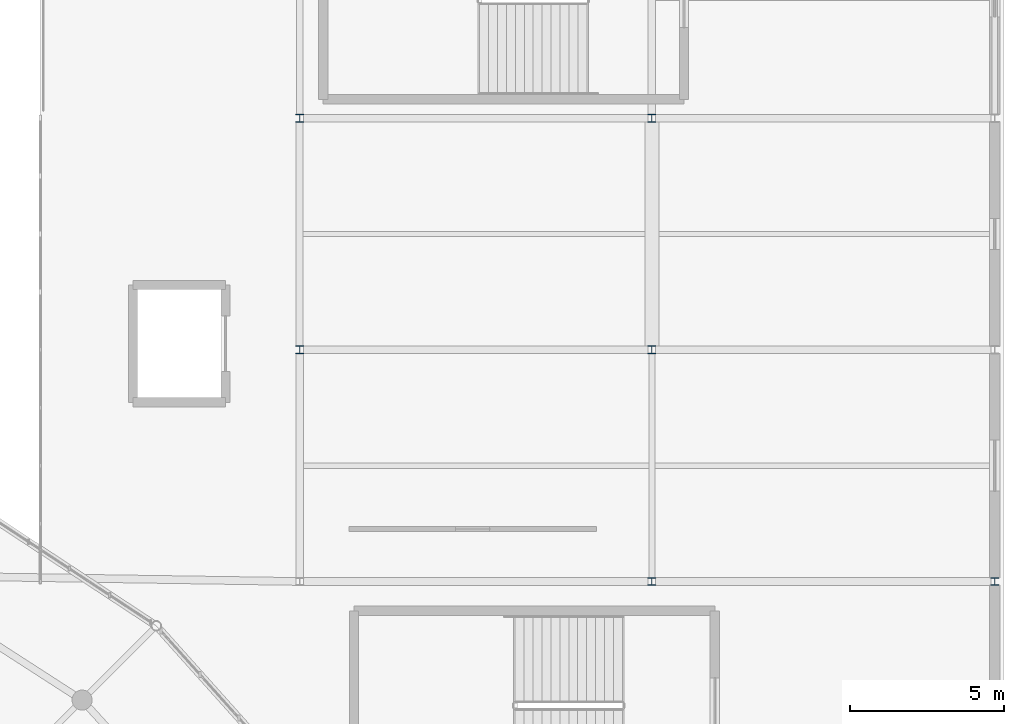
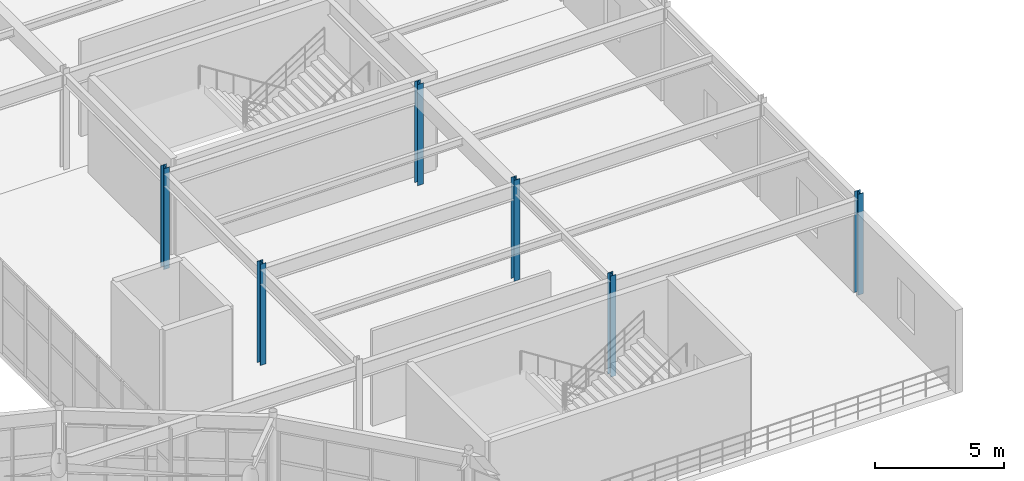
# One storey, part 25 of 144: 6 columns.
"""IFC4 building model written with IfcOpenShell, lengths in metres."""

from ifc_helpers import new_model, si_unit, direction, frame, origin, origin_2d, place, context, subcontext, project, spatial, i_section, extrude, material, material_profile, profile_set, type_object, element, save


model = new_model("IFC4")

# Units and contexts
model_context = context("Model", 3, precision=1e-05, world=origin(), true_north=direction((0.0, 1.0)))
body_context = subcontext(model_context, "Body", "Model", "MODEL_VIEW")
ifc_project = project(units=[si_unit("LENGTHUNIT", "METRE"), si_unit("AREAUNIT", "SQUARE_METRE"), si_unit("VOLUMEUNIT", "CUBIC_METRE"), si_unit("PLANEANGLEUNIT", "RADIAN"), si_unit("MASSUNIT", "GRAM", prefix="KILO")], contexts=[model_context])

# Site, building, storey
site_placement = place(None, origin())
site = spatial("IfcSite", under=ifc_project, at=site_placement, CompositionType="ELEMENT")
building_placement = place(site_placement, origin())
building = spatial("IfcBuilding", under=site, at=building_placement, Name="Cinderbank Siding Concert Hall", CompositionType="ELEMENT")
storey_placement = place(building_placement, frame((0.0, 0.0, 5.39990234375)))
storey = spatial("IfcBuildingStorey", under=building, at=storey_placement, Name="L02", CompositionType="ELEMENT", Elevation=5.39990234375)

# Columns
ifc_material = material(Name="Structural steel AS/NZS 3679.1 Grade 350 (340 MPa)", Category="steel")
ifc_material_profile = material_profile(ifc_material, i_section(OverallWidth=0.25390625, OverallDepth=0.25390625, WebThickness=0.008544921875, FlangeThickness=0.01416015625, at=origin_2d()), Name="250UC72.9", Category="LoadBearing")
ifc_profile_set = profile_set([ifc_material_profile], Name="Structural steel AS/NZS 3679.1 Grade 350 (340 MPa)")
column_type = type_object("IfcColumnType", Name="C-UC250 250UC72.9", PredefinedType="COLUMN", material=ifc_profile_set)
for number, where, z_axis, x_axis, name in (
    (1, (150.39990234375, 73.300048828125, 0.0), (0.0, 0.0, 1.0), (1.0, 0.0, 0.0), "L02 Column COL-EL-1-2"),
    (2, (150.39990234375, 80.800048828125, 0.0), (0.0, 0.0, 1.0), (1.0, 0.0, 0.0), "L02 Column COL-EL-1-3"),
    (3, (161.800048828125, 65.800048828125, 0.0), (0.0, 0.0, 1.0), (1.0, 0.0, 0.0), "L02 Column COL-EL-2-1"),
    (4, (161.800048828125, 73.300048828125, 0.0), (0.0, 0.0, 1.0), (1.0, 0.0, 0.0), "L02 Column COL-EL-2-2"),
    (5, (161.800048828125, 80.800048828125, 0.0), (0.0, 0.0, 1.0), (1.0, 0.0, 0.0), "L02 Column COL-EL-2-3"),
    (6, (172.89990234375, 65.800048828125, 0.0), (0.0, 0.0, 1.0), (1.0, 0.0, 0.0), "L02 Column COL-EL-3-1"),
):
    element("IfcColumn", number, at=place(storey_placement, frame(where, z_axis=z_axis, x_axis=x_axis)), inside=storey, type_object=column_type, Name=name, PredefinedType="COLUMN", context=body_context, shape_type="SweptSolid", body=[
        extrude(i_section(OverallWidth=0.25390625, OverallDepth=0.25390625, WebThickness=0.008544921875, FlangeThickness=0.01416015625, at=origin_2d()), origin(), (0.0, 0.0, 1.0), 4.800048828125),
    ])

save(model, "model.ifc")
